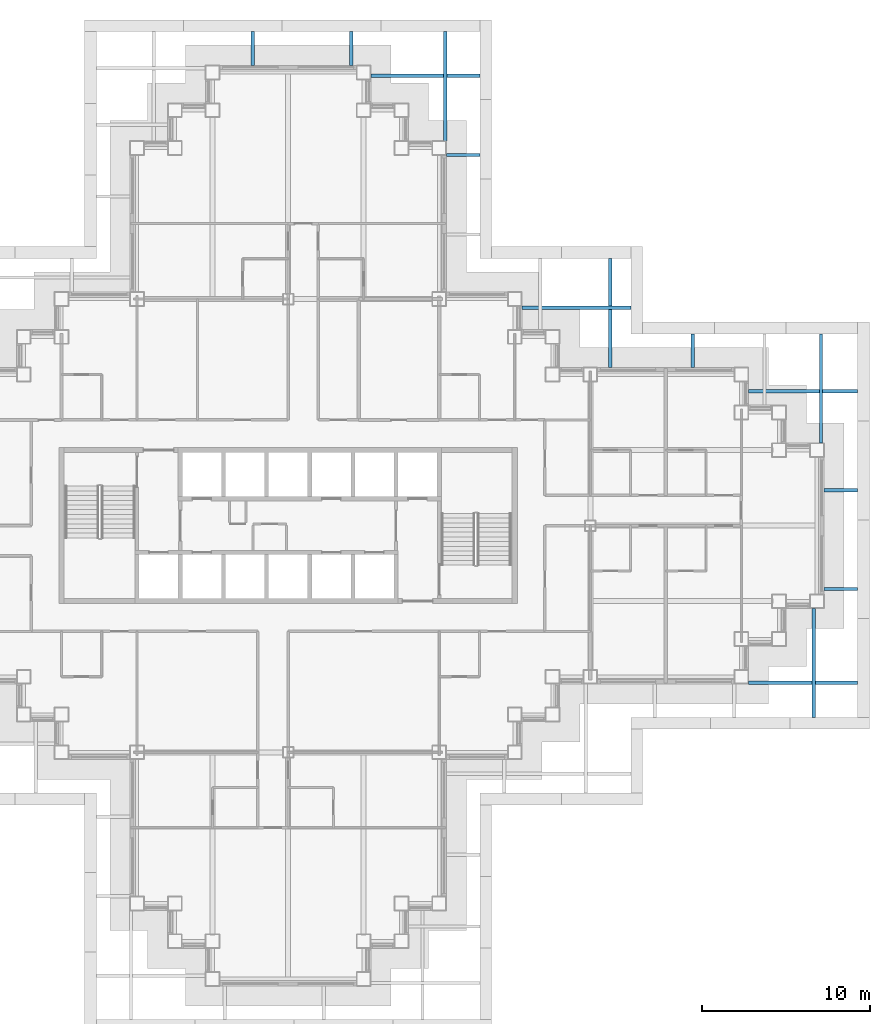
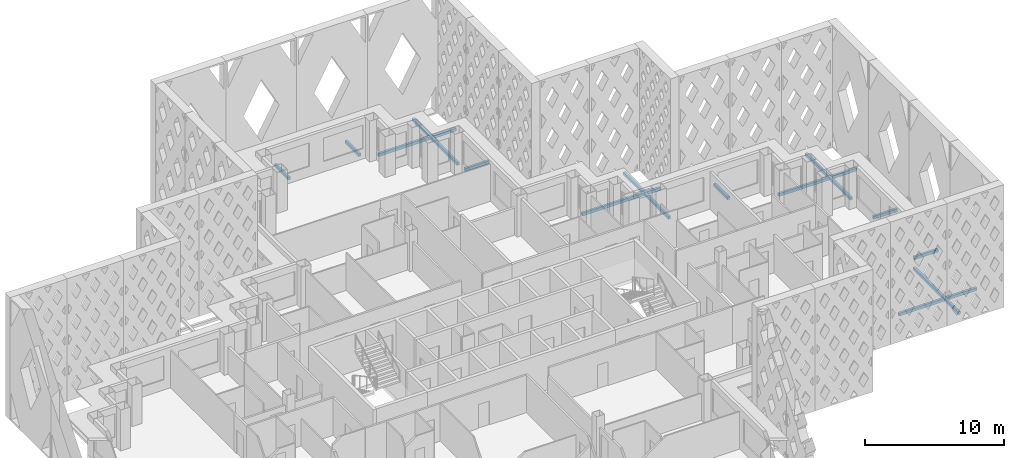
# One storey, part 12 of 21: 14 discrete accessories.
"""IFC4 building model written with IfcOpenShell, lengths in metres."""

from ifc_helpers import new_model, si_unit, direction, frame, origin, origin_2d, place, context, subcontext, project, spatial, rectangle, extrude, material, type_object, element, save


model = new_model("IFC4")

# Units and contexts
model_context = context("Model", 3, precision=1e-05, world=origin(), true_north=direction((0.0, 1.0)))
body_context = subcontext(model_context, "Body", "Model", "MODEL_VIEW")
ifc_project = project(units=[si_unit("LENGTHUNIT", "METRE"), si_unit("AREAUNIT", "SQUARE_METRE"), si_unit("VOLUMEUNIT", "CUBIC_METRE"), si_unit("PLANEANGLEUNIT", "RADIAN"), si_unit("MASSUNIT", "GRAM", prefix="KILO")], contexts=[model_context])

# Site, building, storey
site_placement = place(None, origin())
site = spatial("IfcSite", under=ifc_project, at=site_placement, CompositionType="ELEMENT")
building_placement = place(site_placement, origin())
building = spatial("IfcBuilding", under=site, at=building_placement, Name="Caravel Reach Hotel and Residences", CompositionType="ELEMENT")
storey_placement = place(building_placement, frame((0.0, 0.0, 129.60009765625)))
storey = spatial("IfcBuildingStorey", under=building, at=storey_placement, Name="L32", CompositionType="ELEMENT", Elevation=129.60009765625)

# Discrete accessories
ifc_material = material(Name="Black powder-coated aluminium", Category="aluminium")
discrete_accessory_type = type_object("IfcDiscreteAccessoryType", Name="BR1 Screen bracket", PredefinedType="BRACKET", material=ifc_material)
for number, where, z_axis, x_axis, name in (
    (1, (62.811767578125, 18.824951171875, 0.099853515625), (0.0, 0.0, 1.0), (0.0, -1.0, 0.0), "Screen bracket L32 6.3.1"),
    (2, (62.175048828125, 17.641357421875, 0.099853515625), (0.0, 0.0, 1.0), (1.0, 0.0, 0.0), "Screen bracket L32 7.1.1"),
):
    element("IfcDiscreteAccessory", number, at=place(storey_placement, frame(where, z_axis=z_axis, x_axis=x_axis)), inside=storey, type_object=discrete_accessory_type, Name=name, PredefinedType="BRACKET", context=body_context, shape_type="SweptSolid", body=[
        extrude(rectangle(XDim=6.5, YDim=0.199951171875, at=origin_2d()), origin(), (0.0, 0.0, 1.0), 0.25),
    ])
for number, where, z_axis, x_axis, name in (
    (3, (64.425048828125, 23.228759765625, 0.099853515625), (0.0, 0.0, 1.0), (1.0, 0.0, 0.0), "Screen bracket L32 7.2.1"),
    (4, (64.425048828125, 29.1162109375, 0.099853515625), (0.0, 0.0, 1.0), (1.0, 0.0, 0.0), "Screen bracket L32 7.3.1"),
):
    element("IfcDiscreteAccessory", number, at=place(storey_placement, frame(where, z_axis=z_axis, x_axis=x_axis)), inside=storey, type_object=discrete_accessory_type, Name=name, PredefinedType="BRACKET", context=body_context, shape_type="SweptSolid", body=[
        extrude(rectangle(XDim=2.0, YDim=0.199951171875, at=origin_2d()), origin(), (0.0, 0.0, 1.0), 0.25),
    ])
for number, where, z_axis, x_axis, name in (
    (5, (62.175048828125, 35.003662109375, 0.099853515625), (0.0, 0.0, 1.0), (1.0, 0.0, 0.0), "Screen bracket L32 7.4.1"),
    (6, (63.2451171875, 35.175048828125, 0.099853515625), (0.0, 0.0, 1.0), (0.0, 1.0, 0.0), "Screen bracket L32 8.1.1"),
):
    element("IfcDiscreteAccessory", number, at=place(storey_placement, frame(where, z_axis=z_axis, x_axis=x_axis)), inside=storey, type_object=discrete_accessory_type, Name=name, PredefinedType="BRACKET", context=body_context, shape_type="SweptSolid", body=[
        extrude(rectangle(XDim=6.5, YDim=0.199951171875, at=origin_2d()), origin(), (0.0, 0.0, 1.0), 0.25),
    ])
discrete_accessory_1_placement = place(storey_placement, frame((55.611572265625, 37.425048828125, 0.099853515625), z_axis=(0.0, 0.0, 1.0), x_axis=(0.0, 1.0, 0.0)))
element("IfcDiscreteAccessory", 7, at=discrete_accessory_1_placement, inside=storey, type_object=discrete_accessory_type, Name="Screen bracket L32 8.3.1", PredefinedType="BRACKET", context=body_context, shape_type="SweptSolid", body=[
    extrude(rectangle(XDim=2.0, YDim=0.199951171875, at=origin_2d()), origin(), (0.0, 0.0, 1.0), 0.25),
])
for number, where, z_axis, x_axis, name in (
    (8, (48.675048828125, 39.985107421875, 0.099853515625), (0.0, 0.0, 1.0), (1.0, 0.0, 0.0), "Screen bracket L32 9.1.1"),
    (9, (50.679931640625, 39.675048828125, 0.099853515625), (0.0, 0.0, 1.0), (0.0, 1.0, 0.0), "Screen bracket L32 10.1.1"),
):
    element("IfcDiscreteAccessory", number, at=place(storey_placement, frame(where, z_axis=z_axis, x_axis=x_axis)), inside=storey, type_object=discrete_accessory_type, Name=name, PredefinedType="BRACKET", context=body_context, shape_type="SweptSolid", body=[
        extrude(rectangle(XDim=6.5, YDim=0.199951171875, at=origin_2d()), origin(), (0.0, 0.0, 1.0), 0.25),
    ])
discrete_accessory_2_placement = place(storey_placement, frame((41.925048828125, 49.078369140625, 0.099853515625), z_axis=(0.0, 0.0, 1.0), x_axis=(1.0, 0.0, 0.0)))
element("IfcDiscreteAccessory", 10, at=discrete_accessory_2_placement, inside=storey, type_object=discrete_accessory_type, Name="Screen bracket L32 11.2.1", PredefinedType="BRACKET", context=body_context, shape_type="SweptSolid", body=[
    extrude(rectangle(XDim=2.0, YDim=0.199951171875, at=origin_2d()), origin(), (0.0, 0.0, 1.0), 0.25),
])
for number, where, z_axis, x_axis, name in (
    (11, (39.675048828125, 53.811767578125, 0.099853515625), (0.0, 0.0, 1.0), (1.0, 0.0, 0.0), "Screen bracket L32 11.3.1"),
    (12, (40.858642578125, 53.175048828125, 0.099853515625), (0.0, 0.0, 1.0), (0.0, 1.0, 0.0), "Screen bracket L32 12.1.1"),
):
    element("IfcDiscreteAccessory", number, at=place(storey_placement, frame(where, z_axis=z_axis, x_axis=x_axis)), inside=storey, type_object=discrete_accessory_type, Name=name, PredefinedType="BRACKET", context=body_context, shape_type="SweptSolid", body=[
        extrude(rectangle(XDim=6.5, YDim=0.199951171875, at=origin_2d()), origin(), (0.0, 0.0, 1.0), 0.25),
    ])
for number, where, z_axis, x_axis, name in (
    (13, (35.271240234375, 55.425048828125, 0.099853515625), (0.0, 0.0, 1.0), (0.0, 1.0, 0.0), "Screen bracket L32 12.2.1"),
    (14, (29.3837890625, 55.425048828125, 0.099853515625), (0.0, 0.0, 1.0), (0.0, 1.0, 0.0), "Screen bracket L32 12.3.1"),
):
    element("IfcDiscreteAccessory", number, at=place(storey_placement, frame(where, z_axis=z_axis, x_axis=x_axis)), inside=storey, type_object=discrete_accessory_type, Name=name, PredefinedType="BRACKET", context=body_context, shape_type="SweptSolid", body=[
        extrude(rectangle(XDim=2.0, YDim=0.199951171875, at=origin_2d()), origin(), (0.0, 0.0, 1.0), 0.25),
    ])

save(model, "model.ifc")
